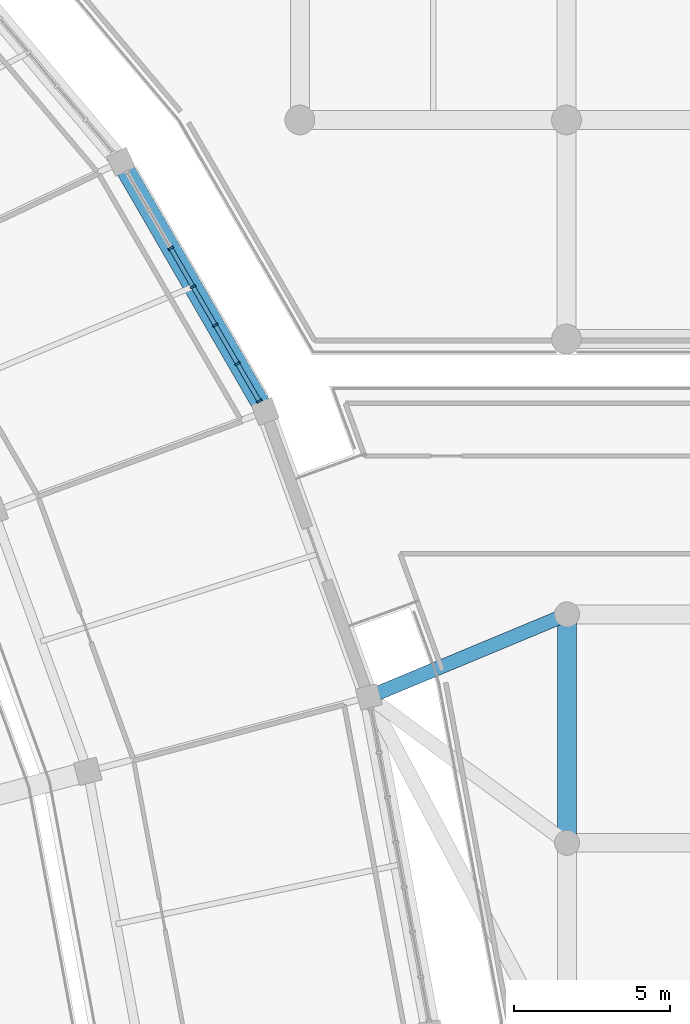
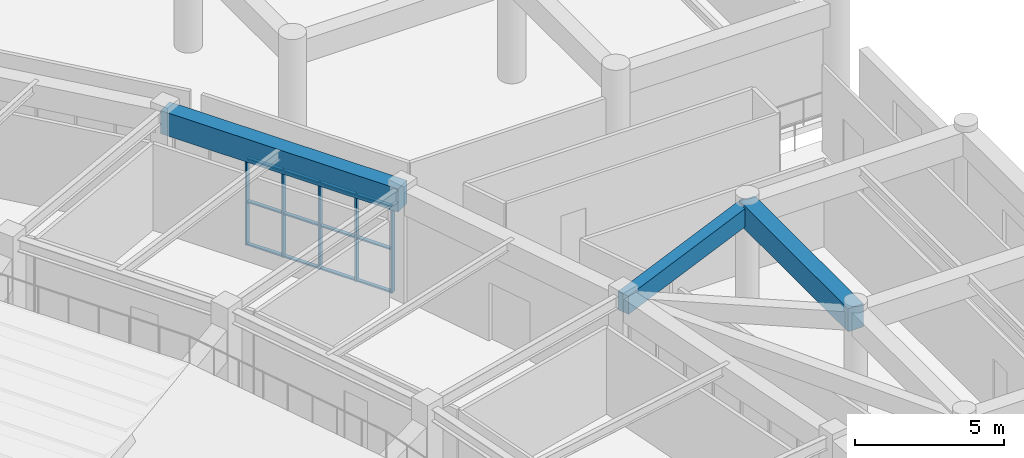
# One storey, part 50 of 137: 17 members, 3 beams, 1 element without a shape of its own.
"""IFC4 building model written with IfcOpenShell, lengths in metres."""

from ifc_helpers import new_model, si_unit, direction, frame, origin, origin_2d, place, context, subcontext, project, spatial, rectangle, extrude, material, layer, layer_set, material_profile, profile_set, type_object, element, aggregate, save


model = new_model("IFC4")

# Units and contexts
model_context = context("Model", 3, precision=1e-05, world=origin(), true_north=direction((0.0, 1.0)))
body_context = subcontext(model_context, "Body", "Model", "MODEL_VIEW")
ifc_project = project(units=[si_unit("LENGTHUNIT", "METRE"), si_unit("AREAUNIT", "SQUARE_METRE"), si_unit("VOLUMEUNIT", "CUBIC_METRE"), si_unit("PLANEANGLEUNIT", "RADIAN"), si_unit("MASSUNIT", "GRAM", prefix="KILO")], contexts=[model_context])

# Site, building, storey
site_placement = place(None, origin())
site = spatial("IfcSite", under=ifc_project, at=site_placement, CompositionType="ELEMENT")
building_placement = place(site_placement, origin())
building = spatial("IfcBuilding", under=site, at=building_placement, Name="Mphavela Belvedere Stadium", CompositionType="ELEMENT")
storey_placement = place(building_placement, frame((0.0, 0.0, 19.199951171875)))
storey = spatial("IfcBuildingStorey", under=building, at=storey_placement, Name="L04", CompositionType="ELEMENT", Elevation=19.199951171875)

# Beams
ifc_material_1 = material(Name="Concrete C40/50", Category="concrete")
ifc_material_profile_1 = material_profile(ifc_material_1, rectangle(XDim=0.60009765625, YDim=0.949951171875, at=origin_2d()), Name="RC 600x950")
ifc_profile_set_1 = profile_set([ifc_material_profile_1], Name="Concrete C40/50")
beam_type_1 = type_object("IfcBeamType", Name="BM-ENTABLATURE-950", PredefinedType="SPANDREL", material=ifc_profile_set_1)
beam_1_placement = place(storey_placement, frame((211.856201171875, 122.682373046875, 4.074951171875), z_axis=(-0.500565297122, 0.865698783248, 0.0), x_axis=(-0.865698783248, -0.500565297122, 0.0)))
element("IfcBeam", 1, at=beam_1_placement, inside=storey, type_object=beam_type_1, Name="Circumferential girder L04 R4-04", PredefinedType="SPANDREL", context=body_context, shape_type="SweptSolid", body=[
    extrude(rectangle(XDim=0.60009765625, YDim=0.949951171875, at=origin_2d()), origin(), (0.0, 0.0, 1.0), 9.217041015625),
])
beam_2_placement = place(storey_placement, frame((221.5, 108.89990234375, 4.06494140625), z_axis=(0.0, 1.0, 0.0), x_axis=(-1.0, 0.0, 0.0)))
element("IfcBeam", 2, at=beam_2_placement, inside=storey, type_object=beam_type_1, Name="East Planted Eaves Peristyle Colonnade entablature beam Y L04 8-9", PredefinedType="SPANDREL", context=body_context, shape_type="SweptSolid", body=[
    extrude(rectangle(XDim=0.60009765625, YDim=0.949951171875, at=origin_2d()), origin(), (0.0, 0.0, 1.0), 7.300048828125),
])
ifc_material_2 = material(Name="Concrete C40/50", Category="concrete")
ifc_material_profile_2 = material_profile(ifc_material_2, rectangle(XDim=0.449951171875, YDim=0.75, at=origin_2d()), Name="RC 450x750")
ifc_profile_set_2 = profile_set([ifc_material_profile_2], Name="Concrete C40/50")
beam_type_2 = type_object("IfcBeamType", Name="BM-RC450x750", PredefinedType="BEAM", material=ifc_profile_set_2)
beam_3_placement = place(storey_placement, frame((221.5, 116.199951171875, 4.06494140625), z_axis=(-0.923196868172, -0.38432738986, 0.0), x_axis=(0.38432738986, -0.923196868172, 0.0)))
element("IfcBeam", 3, at=beam_3_placement, inside=storey, type_object=beam_type_2, Name="East Planted Eaves Peristyle Colonnade bowl link girder L04-6", PredefinedType="BEAM", context=body_context, shape_type="SweptSolid", body=[
    extrude(rectangle(XDim=0.449951171875, YDim=0.75, at=origin_2d()), origin(), (0.0, 0.0, 1.0), 6.862548828125),
])

# Curtain wall, members
ifc_material_3 = material(Name="Anodised bronze unitised curtain wall framing")
ifc_layer = layer(ifc_material_3, 0.179931640625)
ifc_layer_set = layer_set([ifc_layer], Name="Anodised bronze unitised curtain wall framing")
curtain_wall_type = type_object("IfcCurtainWallType", Name="CW-UNIT-01", PredefinedType="USERDEFINED", material=ifc_layer_set)
curtain_wall_placement = place(storey_placement, origin())
curtain_wall = element("IfcCurtainWall", 4, at=curtain_wall_placement, inside=storey, type_object=curtain_wall_type, Name="Belvedere colonnade curtain wall L04-04", ObjectType="UNITISED CURTAIN WALL", PredefinedType="USERDEFINED")
ifc_material_4 = material(Name="Anodised bronze extruded aluminium", Category="aluminium")
ifc_material_profile_3 = material_profile(ifc_material_4, rectangle(XDim=0.179931640625, YDim=0.06494140625, at=origin_2d()), Name="CW-MUL 180x65")
ifc_profile_set_3 = profile_set([ifc_material_profile_3], Name="Anodised bronze extruded aluminium")
member_type_1 = type_object("IfcMemberType", Name="CWM-180x65", PredefinedType="MULLION", material=ifc_profile_set_3)
member_1_placement = place(storey_placement, frame((211.66552734375, 123.01171875, 0.0), z_axis=(0.0, 0.0, 1.0), x_axis=(-0.865704159606, -0.500555998906, 0.0)))
member_1 = element("IfcMember", 5, at=member_1_placement, type_object=member_type_1, Name="CW-01 mullion 1", PredefinedType="MULLION", context=body_context, shape_type="SweptSolid", body=[
    extrude(rectangle(XDim=0.179931640625, YDim=0.06494140625, at=origin_2d()), origin(), (0.0, 0.0, 1.0), 3.570068359375),
])
member_2_placement = place(storey_placement, frame((210.970947265625, 124.213134765625, 0.0), z_axis=(0.0, 0.0, 1.0), x_axis=(-0.865704159606, -0.500555998906, 0.0)))
member_2 = element("IfcMember", 6, at=member_2_placement, type_object=member_type_1, Name="CW-01 mullion 2", PredefinedType="MULLION", context=body_context, shape_type="SweptSolid", body=[
    extrude(rectangle(XDim=0.179931640625, YDim=0.06494140625, at=origin_2d()), origin(), (0.0, 0.0, 1.0), 3.570068359375),
])
member_3_placement = place(storey_placement, frame((210.26025390625, 125.4423828125, 0.0), z_axis=(0.0, 0.0, 1.0), x_axis=(-0.865704159606, -0.500555998906, 0.0)))
member_3 = element("IfcMember", 7, at=member_3_placement, type_object=member_type_1, Name="CW-01 mullion 3", PredefinedType="MULLION", context=body_context, shape_type="SweptSolid", body=[
    extrude(rectangle(XDim=0.179931640625, YDim=0.06494140625, at=origin_2d()), origin(), (0.0, 0.0, 1.0), 3.570068359375),
])
member_4_placement = place(storey_placement, frame((209.54931640625, 126.671875, 0.0), z_axis=(0.0, 0.0, 1.0), x_axis=(-0.865704159606, -0.500555998906, 0.0)))
member_4 = element("IfcMember", 8, at=member_4_placement, type_object=member_type_1, Name="CW-01 mullion 4", PredefinedType="MULLION", context=body_context, shape_type="SweptSolid", body=[
    extrude(rectangle(XDim=0.179931640625, YDim=0.06494140625, at=origin_2d()), origin(), (0.0, 0.0, 1.0), 3.570068359375),
])
member_5_placement = place(storey_placement, frame((208.83837890625, 127.9013671875, 0.0), z_axis=(0.0, 0.0, 1.0), x_axis=(-0.865704159606, -0.500555998906, 0.0)))
member_5 = element("IfcMember", 9, at=member_5_placement, type_object=member_type_1, Name="CW-01 mullion 5", PredefinedType="MULLION", context=body_context, shape_type="SweptSolid", body=[
    extrude(rectangle(XDim=0.179931640625, YDim=0.06494140625, at=origin_2d()), origin(), (0.0, 0.0, 1.0), 3.570068359375),
])
ifc_material_5 = material(Name="Anodised bronze extruded aluminium", Category="aluminium")
ifc_material_profile_4 = material_profile(ifc_material_5, rectangle(XDim=0.139892578125, YDim=0.06005859375, at=origin_2d()), Name="CW-TRN 140x60")
ifc_profile_set_4 = profile_set([ifc_material_profile_4], Name="Anodised bronze extruded aluminium")
member_type_2 = type_object("IfcMemberType", Name="CWT-140x60", PredefinedType="USERDEFINED", material=ifc_profile_set_4)
member_6_placement = place(storey_placement, frame((211.6494140625, 123.039794921875, 0.030029296875), z_axis=(-0.500585088296, 0.865687339272, 0.0), x_axis=(-0.865687339272, -0.500585088296, 0.0)))
member_6 = element("IfcMember", 10, at=member_6_placement, type_object=member_type_2, Name="CW-01 transom 1.1", ObjectType="TRANSOM", PredefinedType="USERDEFINED", context=body_context, shape_type="SweptSolid", body=[
    extrude(rectangle(XDim=0.139892578125, YDim=0.06005859375, at=origin_2d()), origin(), (0.0, 0.0, 1.0), 1.32275390625),
])
member_7_placement = place(storey_placement, frame((211.6494140625, 123.039794921875, 1.78515625), z_axis=(-0.500585088296, 0.865687339272, 0.0), x_axis=(-0.865687339272, -0.500585088296, 0.0)))
member_7 = element("IfcMember", 11, at=member_7_placement, type_object=member_type_2, Name="CW-01 transom 1.2", ObjectType="TRANSOM", PredefinedType="USERDEFINED", context=body_context, shape_type="SweptSolid", body=[
    extrude(rectangle(XDim=0.139892578125, YDim=0.06005859375, at=origin_2d()), origin(), (0.0, 0.0, 1.0), 1.32275390625),
])
member_8_placement = place(storey_placement, frame((211.6494140625, 123.039794921875, 3.5400390625), z_axis=(-0.500585088296, 0.865687339272, 0.0), x_axis=(-0.865687339272, -0.500585088296, 0.0)))
member_8 = element("IfcMember", 12, at=member_8_placement, type_object=member_type_2, Name="CW-01 transom 1.3", ObjectType="TRANSOM", PredefinedType="USERDEFINED", context=body_context, shape_type="SweptSolid", body=[
    extrude(rectangle(XDim=0.139892578125, YDim=0.06005859375, at=origin_2d()), origin(), (0.0, 0.0, 1.0), 1.32275390625),
])
member_9_placement = place(storey_placement, frame((210.954833984375, 124.2412109375, 0.030029296875), z_axis=(-0.500652736362, 0.865648218143, 0.0), x_axis=(-0.865648218143, -0.500652736362, 0.0)))
member_9 = element("IfcMember", 13, at=member_9_placement, type_object=member_type_2, Name="CW-01 transom 2.1", ObjectType="TRANSOM", PredefinedType="USERDEFINED", context=body_context, shape_type="SweptSolid", body=[
    extrude(rectangle(XDim=0.139892578125, YDim=0.06005859375, at=origin_2d()), origin(), (0.0, 0.0, 1.0), 1.355224609375),
])
member_10_placement = place(storey_placement, frame((210.954833984375, 124.2412109375, 1.78515625), z_axis=(-0.500652736362, 0.865648218143, 0.0), x_axis=(-0.865648218143, -0.500652736362, 0.0)))
member_10 = element("IfcMember", 14, at=member_10_placement, type_object=member_type_2, Name="CW-01 transom 2.2", ObjectType="TRANSOM", PredefinedType="USERDEFINED", context=body_context, shape_type="SweptSolid", body=[
    extrude(rectangle(XDim=0.139892578125, YDim=0.06005859375, at=origin_2d()), origin(), (0.0, 0.0, 1.0), 1.355224609375),
])
member_11_placement = place(storey_placement, frame((210.954833984375, 124.2412109375, 3.5400390625), z_axis=(-0.500652736362, 0.865648218143, 0.0), x_axis=(-0.865648218143, -0.500652736362, 0.0)))
member_11 = element("IfcMember", 15, at=member_11_placement, type_object=member_type_2, Name="CW-01 transom 2.3", ObjectType="TRANSOM", PredefinedType="USERDEFINED", context=body_context, shape_type="SweptSolid", body=[
    extrude(rectangle(XDim=0.139892578125, YDim=0.06005859375, at=origin_2d()), origin(), (0.0, 0.0, 1.0), 1.355224609375),
])
member_12_placement = place(storey_placement, frame((210.243896484375, 125.470703125, 0.030029296875), z_axis=(-0.50051771898, 0.865726292189, 0.0), x_axis=(-0.865726292189, -0.50051771898, 0.0)))
member_12 = element("IfcMember", 16, at=member_12_placement, type_object=member_type_2, Name="CW-01 transom 3.1", ObjectType="TRANSOM", PredefinedType="USERDEFINED", context=body_context, shape_type="SweptSolid", body=[
    extrude(rectangle(XDim=0.139892578125, YDim=0.06005859375, at=origin_2d()), origin(), (0.0, 0.0, 1.0), 1.35498046875),
])
member_13_placement = place(storey_placement, frame((210.243896484375, 125.470703125, 1.78515625), z_axis=(-0.50051771898, 0.865726292189, 0.0), x_axis=(-0.865726292189, -0.50051771898, 0.0)))
member_13 = element("IfcMember", 17, at=member_13_placement, type_object=member_type_2, Name="CW-01 transom 3.2", ObjectType="TRANSOM", PredefinedType="USERDEFINED", context=body_context, shape_type="SweptSolid", body=[
    extrude(rectangle(XDim=0.139892578125, YDim=0.06005859375, at=origin_2d()), origin(), (0.0, 0.0, 1.0), 1.35498046875),
])
member_14_placement = place(storey_placement, frame((210.243896484375, 125.470703125, 3.5400390625), z_axis=(-0.50051771898, 0.865726292189, 0.0), x_axis=(-0.865726292189, -0.50051771898, 0.0)))
member_14 = element("IfcMember", 18, at=member_14_placement, type_object=member_type_2, Name="CW-01 transom 3.3", ObjectType="TRANSOM", PredefinedType="USERDEFINED", context=body_context, shape_type="SweptSolid", body=[
    extrude(rectangle(XDim=0.139892578125, YDim=0.06005859375, at=origin_2d()), origin(), (0.0, 0.0, 1.0), 1.35498046875),
])
member_15_placement = place(storey_placement, frame((209.532958984375, 126.699951171875, 0.030029296875), z_axis=(-0.500439658564, 0.865771417948, 0.0), x_axis=(-0.865771417948, -0.500439658564, 0.0)))
member_15 = element("IfcMember", 19, at=member_15_placement, type_object=member_type_2, Name="CW-01 transom 4.1", ObjectType="TRANSOM", PredefinedType="USERDEFINED", context=body_context, shape_type="SweptSolid", body=[
    extrude(rectangle(XDim=0.139892578125, YDim=0.06005859375, at=origin_2d()), origin(), (0.0, 0.0, 1.0), 1.355224609375),
])
member_16_placement = place(storey_placement, frame((209.532958984375, 126.699951171875, 1.78515625), z_axis=(-0.500439658564, 0.865771417948, 0.0), x_axis=(-0.865771417948, -0.500439658564, 0.0)))
member_16 = element("IfcMember", 20, at=member_16_placement, type_object=member_type_2, Name="CW-01 transom 4.2", ObjectType="TRANSOM", PredefinedType="USERDEFINED", context=body_context, shape_type="SweptSolid", body=[
    extrude(rectangle(XDim=0.139892578125, YDim=0.06005859375, at=origin_2d()), origin(), (0.0, 0.0, 1.0), 1.355224609375),
])
member_17_placement = place(storey_placement, frame((209.532958984375, 126.699951171875, 3.5400390625), z_axis=(-0.500439658564, 0.865771417948, 0.0), x_axis=(-0.865771417948, -0.500439658564, 0.0)))
member_17 = element("IfcMember", 21, at=member_17_placement, type_object=member_type_2, Name="CW-01 transom 4.3", ObjectType="TRANSOM", PredefinedType="USERDEFINED", context=body_context, shape_type="SweptSolid", body=[
    extrude(rectangle(XDim=0.139892578125, YDim=0.06005859375, at=origin_2d()), origin(), (0.0, 0.0, 1.0), 1.355224609375),
])
aggregate(curtain_wall, [member_1, member_2, member_3, member_4, member_5, member_6, member_7, member_8, member_9, member_10, member_11, member_12, member_13, member_14, member_15, member_16, member_17])

save(model, "model.ifc")
